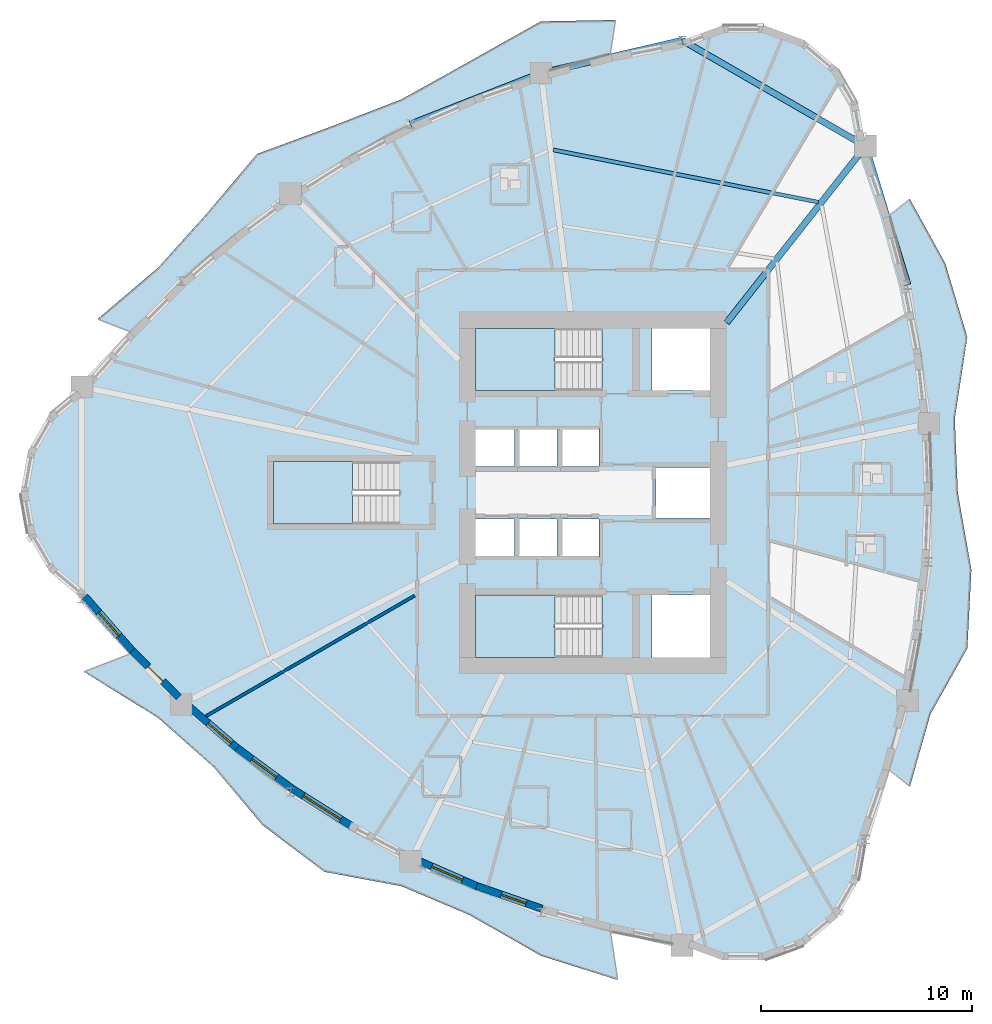
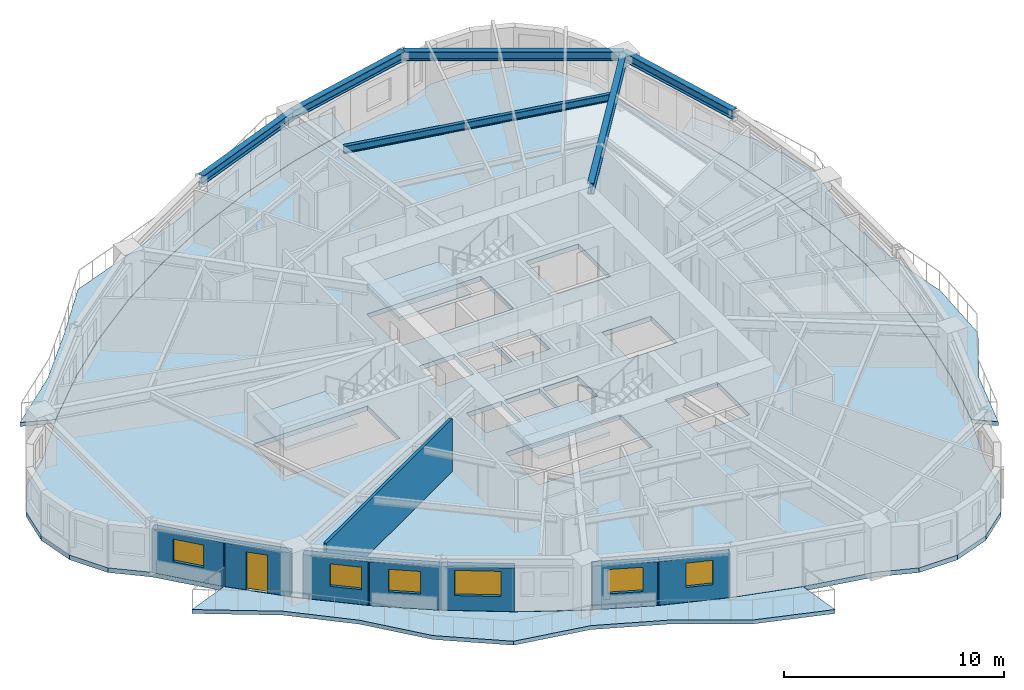
# One storey, part 2 of 13: 8 walls, 7 slabs, 6 beams, 6 windows, 1 door, 7 openings, 3 elements without a shape of their own.
"""IFC4 building model written with IfcOpenShell, lengths in metres."""

from ifc_helpers import new_model, si_unit, direction, frame, frame_2d, origin, origin_2d, place, context, subcontext, project, spatial, polyline, rectangle, i_section, outline, extrude, source, transform, mapped, material, layer, layer_set, material_profile, profile_set, type_object, element, fill, aggregate, save


model = new_model("IFC4")

# Units and contexts
model_context = context("Model", 3, precision=1e-05, world=origin(), true_north=direction((0.0, 1.0)))
body_context = subcontext(model_context, "Body", "Model", "MODEL_VIEW")
ifc_project = project(units=[si_unit("LENGTHUNIT", "METRE"), si_unit("AREAUNIT", "SQUARE_METRE"), si_unit("VOLUMEUNIT", "CUBIC_METRE"), si_unit("PLANEANGLEUNIT", "RADIAN"), si_unit("MASSUNIT", "GRAM", prefix="KILO")], contexts=[model_context])

# Site, building, storey
site_placement = place(None, origin())
site = spatial("IfcSite", under=ifc_project, at=site_placement, CompositionType="ELEMENT")
building_placement = place(site_placement, origin())
building = spatial("IfcBuilding", under=site, at=building_placement, Name="Qafzar Sky-Pleat Residences", CompositionType="ELEMENT")
storey_placement = place(building_placement, frame((0.0, 0.0, 52.60009765625)))
storey = spatial("IfcBuildingStorey", under=building, at=storey_placement, Name="L15", CompositionType="ELEMENT", Elevation=52.60009765625)

# Beams
ifc_material_1 = material(Name="Steel S355", Category="steel")
ifc_material_profile_1 = material_profile(ifc_material_1, i_section(OverallWidth=0.300048828125, OverallDepth=0.5, WebThickness=0.014404296875, FlangeThickness=0.028076171875, FilletRadius=0.027099609375, at=origin_2d()), Name="HEB 500")
ifc_profile_set_1 = profile_set([ifc_material_profile_1], Name="Steel S355")
beam_type_1 = type_object("IfcBeamType", Name="BM-SPAN-HEB500", PredefinedType="SPANDREL", material=ifc_profile_set_1)
shared_shape_1 = source(origin(), body_context, "Body", "SweptSolid", [
    extrude(i_section(OverallWidth=0.300048828125, OverallDepth=0.5, WebThickness=0.014404296875, FlangeThickness=0.028076171875, FilletRadius=0.027099609375, at=origin_2d()), origin(), (0.0, 0.0, 1.0), 10.0458984375),
])
beam_1_placement = place(storey_placement, frame((43.2900390625, 42.437255859375, 2.68798828125), z_axis=(-0.866024107753, 0.500002244785, 0.0), x_axis=(-0.500002244785, -0.866024107753, 0.0)))
element("IfcBeam", 1, at=beam_1_placement, inside=storey, type_object=beam_type_1, Name="L15 Perimeter Spandrel Beam 13", PredefinedType="SPANDREL", context=body_context, shape_type="MappedRepresentation", body=[
    mapped(shared_shape_1, transform((0.0, 0.0, 0.0), x_axis=(1.0, 0.0, 0.0), y_axis=(0.0, 1.0, 0.0), z_axis=(0.0, 0.0, 1.0), scale=1.0)),
])
shared_shape_2 = source(origin(), body_context, "Body", "SweptSolid", [
    extrude(i_section(OverallWidth=0.300048828125, OverallDepth=0.5, WebThickness=0.014404296875, FlangeThickness=0.028076171875, FilletRadius=0.027099609375, at=origin_2d()), origin(), (0.0, 0.0, 1.0), 6.8720703125),
])
for number, where, z_axis, x_axis, name in (
    (2, (45.288818359375, 35.8623046875, 2.68798828125), (-0.290856244324, 0.956766766322, 0.0), (-0.956766766322, -0.290856244324, 0.0), "L15 Perimeter Spandrel Beam 12"),
    (3, (34.590087890625, 47.460205078125, 2.68798828125), (-0.974016228914, -0.226478223705, 0.0), (0.226478223705, -0.974016228914, 0.0), "L15 Perimeter Spandrel Beam 14"),
):
    element("IfcBeam", number, at=place(storey_placement, frame(where, z_axis=z_axis, x_axis=x_axis)), inside=storey, type_object=beam_type_1, Name=name, PredefinedType="SPANDREL", context=body_context, shape_type="MappedRepresentation", body=[
        mapped(shared_shape_2, transform((0.0, 0.0, 0.0), x_axis=(1.0, 0.0, 0.0), y_axis=(0.0, 1.0, 0.0), z_axis=(0.0, 0.0, 1.0), scale=1.0)),
    ])
shared_shape_3 = source(origin(), body_context, "Body", "SweptSolid", [
    extrude(i_section(OverallWidth=0.300048828125, OverallDepth=0.5, WebThickness=0.014404296875, FlangeThickness=0.028076171875, FilletRadius=0.027099609375, at=origin_2d()), origin(), (0.0, 0.0, 1.0), 6.650390625),
])
beam_2_placement = place(storey_placement, frame((27.896484375, 45.90380859375, 2.68798828125), z_axis=(-0.931317505809, -0.364208324141, 0.0), x_axis=(0.364208324141, -0.931317505809, 0.0)))
element("IfcBeam", 4, at=beam_2_placement, inside=storey, type_object=beam_type_1, Name="L15 Perimeter Spandrel Beam 15", PredefinedType="SPANDREL", context=body_context, shape_type="MappedRepresentation", body=[
    mapped(shared_shape_3, transform((0.0, 0.0, 0.0), x_axis=(1.0, 0.0, 0.0), y_axis=(0.0, 1.0, 0.0), z_axis=(0.0, 0.0, 1.0), scale=1.0)),
])
ifc_material_profile_2 = material_profile(ifc_material_1, i_section(OverallWidth=0.300048828125, OverallDepth=0.60009765625, WebThickness=0.015380859375, FlangeThickness=0.030029296875, FilletRadius=0.027099609375, at=origin_2d()), Name="HEB 600")
ifc_profile_set_2 = profile_set([ifc_material_profile_2], Name="Steel S355")
beam_type_2 = type_object("IfcBeamType", Name="BM-GIRD-HEB600", PredefinedType="BEAM", material=ifc_profile_set_2)
shared_shape_4 = source(origin(), body_context, "Body", "SweptSolid", [
    extrude(i_section(OverallWidth=0.300048828125, OverallDepth=0.60009765625, WebThickness=0.015380859375, FlangeThickness=0.030029296875, FilletRadius=0.027099609375, at=origin_2d()), origin(), (0.0, 0.0, 1.0), 10.65380859375),
])
beam_3_placement = place(storey_placement, frame((43.2900390625, 42.437255859375, 2.637939453125), z_axis=(-0.618564121577, -0.785734323737, 0.0), x_axis=(0.785734323737, -0.618564121577, 0.0)))
element("IfcBeam", 5, at=beam_3_placement, inside=storey, type_object=beam_type_2, Name="L15 Radial Floor Girder 13", PredefinedType="BEAM", context=body_context, shape_type="MappedRepresentation", body=[
    mapped(shared_shape_4, transform((0.0, 0.0, 0.0), x_axis=(1.0, 0.0, 0.0), y_axis=(0.0, 1.0, 0.0), z_axis=(0.0, 0.0, 1.0), scale=1.0)),
])
ifc_material_profile_3 = material_profile(ifc_material_1, i_section(OverallWidth=0.179931640625, OverallDepth=0.39990234375, WebThickness=0.008544921875, FlangeThickness=0.013427734375, FilletRadius=0.02099609375, at=origin_2d()), Name="IPE 400")
ifc_profile_set_3 = profile_set([ifc_material_profile_3], Name="Steel S355")
beam_type_3 = type_object("IfcBeamType", Name="BM-JST-IPE400", PredefinedType="JOIST", material=ifc_profile_set_3)
shared_shape_5 = source(origin(), body_context, "Body", "SweptSolid", [
    extrude(i_section(OverallWidth=0.179931640625, OverallDepth=0.39990234375, WebThickness=0.008544921875, FlangeThickness=0.013427734375, FilletRadius=0.02099609375, at=origin_2d()), origin(), (0.0, 0.0, 1.0), 12.815185546875),
])
beam_4_placement = place(storey_placement, frame((41.048583984375, 39.78466796875, 2.73779296875), z_axis=(-0.981160312163, 0.19319534631, 0.0), x_axis=(-0.19319534631, -0.981160312163, 0.0)))
element("IfcBeam", 6, at=beam_4_placement, inside=storey, type_object=beam_type_3, Name="L15 Outer Secondary Floor Joist 7", PredefinedType="JOIST", context=body_context, shape_type="MappedRepresentation", body=[
    mapped(shared_shape_5, transform((0.0, 0.0, 0.0), x_axis=(1.0, 0.0, 0.0), y_axis=(0.0, 1.0, 0.0), z_axis=(0.0, 0.0, 1.0), scale=1.0)),
])

# Slabs
ifc_material_2 = material(Name="Concrete C40/50", Category="concrete")
ifc_layer_1 = layer(ifc_material_2, 0.219970703125)
ifc_layer_set_1 = layer_set([ifc_layer_1], Name="Concrete C40/50")
slab_type_1 = type_object("IfcSlabType", Name="SLAB-BAL-220", PredefinedType="USERDEFINED", material=ifc_layer_set_1)
slab_1_placement = place(storey_placement, frame((0.0, 0.0, -0.22021484375)))
element("IfcSlab", 7, at=slab_1_placement, inside=storey, type_object=slab_type_1, Name="L15 Pleated Stone Balcony 1", ObjectType="BALCONY", PredefinedType="USERDEFINED", context=body_context, shape_type="SweptSolid", body=[
    extrude(outline(polyline([(45.29931640625, 16.1318359375), (45.9248046875, 19.4208984375), (46.2998046875, 22.71044921875), (46.425048828125, 26.0), (46.2998046875, 29.28955078125), (45.9248046875, 32.5791015625), (45.29931640625, 35.8681640625), (44.423583984375, 39.1572265625), (45.389892578125, 39.93115234375), (47.069580078125, 36.878173828125), (48.11279296875, 33.382080078125), (47.518310546875, 29.508544921875), (47.6630859375, 26.0), (48.305908203125, 22.349853515625), (48.11279296875, 18.617919921875), (46.37451171875, 15.518310546875), (45.389892578125, 12.06884765625), (44.423583984375, 12.8427734375), (45.29931640625, 16.1318359375)])), origin(), (0.0, 0.0, 1.0), 0.22021484375),
])
slab_2_placement = place(storey_placement, frame((0.0, 0.0, -0.22021484375)))
element("IfcSlab", 8, at=slab_2_placement, inside=storey, type_object=slab_type_1, Name="L15 Pleated Stone Balcony 2", ObjectType="BALCONY", PredefinedType="USERDEFINED", context=body_context, shape_type="SweptSolid", body=[
    extrude(outline(polyline([(27.896484375, 45.915771484375), (24.735107421875, 44.812744140625), (21.69873046875, 43.492919921875), (18.78759765625, 41.95654296875), (16.001220703125, 40.20361328125), (13.340087890625, 38.233642578125), (10.80419921875, 36.047607421875), (8.3935546875, 33.644775390625), (6.867431640625, 34.23974609375), (9.7353515625, 36.672119140625), (12.08251953125, 39.283203125), (14.427734375, 42.06591796875), (17.968505859375, 43.375), (21.279296875, 44.65771484375), (24.455078125, 46.426513671875), (27.8837890625, 48.353759765625), (31.430419921875, 48.421142578125), (31.1826171875, 46.802001953125), (27.896484375, 45.915771484375)])), origin(), (0.0, 0.0, 1.0), 0.22021484375),
])
slab_3_placement = place(storey_placement, frame((0.0, 0.0, -0.22021484375)))
element("IfcSlab", 9, at=slab_3_placement, inside=storey, type_object=slab_type_1, Name="L15 Pleated Stone Balcony 3", ObjectType="BALCONY", PredefinedType="USERDEFINED", context=body_context, shape_type="SweptSolid", body=[
    extrude(outline(polyline([(10.80419921875, 15.952392578125), (13.340087890625, 13.766357421875), (16.001220703125, 11.79638671875), (18.78759765625, 10.04345703125), (21.69873046875, 8.507080078125), (24.735107421875, 7.187255859375), (27.896484375, 6.084228515625), (31.1826171875, 5.197998046875), (31.53515625, 2.89404296875), (27.885986328125, 4.04638671875), (24.523681640625, 5.967529296875), (21.279296875, 7.34228515625), (17.6220703125, 8.02490234375), (14.68603515625, 10.23974609375), (12.3896484375, 12.97314453125), (9.7353515625, 15.327880859375), (6.221923828125, 17.508544921875), (8.3935546875, 18.355224609375), (10.80419921875, 15.952392578125)])), origin(), (0.0, 0.0, 1.0), 0.22021484375),
])
ifc_layer_2 = layer(ifc_material_2, 0.260009765625)
ifc_layer_set_2 = layer_set([ifc_layer_2], Name="Concrete C40/50")
slab_type_2 = type_object("IfcSlabType", Name="SLAB-FLR-260", PredefinedType="FLOOR", material=ifc_layer_set_2)
slab_4_placement = place(storey_placement, frame((0.0, 0.0, -0.260009765625)))
element("IfcSlab", 10, at=slab_4_placement, inside=storey, type_object=slab_type_2, Name="L15 Structural Floor Slab", PredefinedType="FLOOR", context=body_context, shape_type="SweptSolid", body=[
    extrude(outline(polyline([(6.1201171875, 31.02294921875), (4.576904296875, 29.728271484375), (3.56982421875, 27.983642578125), (3.219970703125, 26.0), (3.56982421875, 24.016357421875), (4.576904296875, 22.271728515625), (6.1201171875, 20.97705078125), (8.40478515625, 18.359619140625), (10.814697265625, 15.95849609375), (13.349365234375, 13.77392578125), (16.0087890625, 11.8056640625), (18.79345703125, 10.0537109375), (21.702880859375, 8.518310546875), (24.7373046875, 7.19921875), (27.896484375, 6.09619140625), (31.180908203125, 5.2099609375), (34.590087890625, 4.539794921875), (36.48291015625, 3.85107421875), (38.497314453125, 3.85107421875), (40.389892578125, 4.539794921875), (41.93310546875, 5.834716796875), (42.940185546875, 7.5791015625), (43.2900390625, 9.562744140625), (44.414306640625, 12.850341796875), (45.288818359375, 16.1376953125), (45.913330078125, 19.425048828125), (46.2880859375, 22.712646484375), (46.4130859375, 26.0), (46.2880859375, 29.287353515625), (45.913330078125, 32.574951171875), (45.288818359375, 35.8623046875), (44.414306640625, 39.149658203125), (43.2900390625, 42.437255859375), (42.940185546875, 44.4208984375), (41.93310546875, 46.165283203125), (40.389892578125, 47.460205078125), (38.497314453125, 48.14892578125), (36.48291015625, 48.14892578125), (34.590087890625, 47.460205078125), (31.180908203125, 46.7900390625), (27.896484375, 45.90380859375), (24.7373046875, 44.80078125), (21.702880859375, 43.481689453125), (18.79345703125, 41.9462890625), (16.0087890625, 40.1943359375), (13.349365234375, 38.22607421875), (10.814697265625, 36.04150390625), (8.40478515625, 33.640380859375), (6.1201171875, 31.02294921875)]), holes=[polyline([(30.797119140625, 21.14990234375), (24.800048828125, 21.14990234375), (24.800048828125, 18.199951171875), (30.797119140625, 18.199951171875), (30.797119140625, 21.14990234375)]), polyline([(30.797119140625, 33.800048828125), (24.800048828125, 33.800048828125), (24.800048828125, 30.85009765625), (30.797119140625, 30.85009765625), (30.797119140625, 33.800048828125)]), polyline([(21.197021484375, 27.47509765625), (15.199951171875, 27.47509765625), (15.199951171875, 24.52490234375), (21.197021484375, 24.52490234375), (21.197021484375, 27.47509765625)]), polyline([(24.800048828125, 22.949951171875), (26.64990234375, 22.949951171875), (26.64990234375, 24.75), (24.800048828125, 24.75), (24.800048828125, 22.949951171875)]), polyline([(26.800048828125, 22.949951171875), (28.64990234375, 22.949951171875), (28.64990234375, 24.75), (26.800048828125, 24.75), (26.800048828125, 22.949951171875)]), polyline([(28.800048828125, 22.949951171875), (30.64990234375, 22.949951171875), (30.64990234375, 24.75), (28.800048828125, 24.75), (28.800048828125, 22.949951171875)]), polyline([(24.800048828125, 27.25), (26.64990234375, 27.25), (26.64990234375, 29.050048828125), (24.800048828125, 29.050048828125), (24.800048828125, 27.25)]), polyline([(26.800048828125, 27.25), (28.64990234375, 27.25), (28.64990234375, 29.050048828125), (26.800048828125, 29.050048828125), (26.800048828125, 27.25)]), polyline([(28.800048828125, 27.25), (30.64990234375, 27.25), (30.64990234375, 29.050048828125), (28.800048828125, 29.050048828125), (28.800048828125, 27.25)]), polyline([(33.14990234375, 18.199951171875), (35.89990234375, 18.199951171875), (35.89990234375, 21.14990234375), (33.14990234375, 21.14990234375), (33.14990234375, 18.199951171875)]), polyline([(33.14990234375, 30.85009765625), (35.89990234375, 30.85009765625), (35.89990234375, 33.800048828125), (33.14990234375, 33.800048828125), (33.14990234375, 30.85009765625)]), polyline([(33.35009765625, 24.800048828125), (35.89990234375, 24.800048828125), (35.89990234375, 27.199951171875), (33.35009765625, 27.199951171875), (33.35009765625, 24.800048828125)])]), origin(), (0.0, 0.0, 1.0), 0.260009765625),
])

# Stair, slab
stair_type = type_object("IfcStairType", Name="STAIR-H320", PredefinedType="HALF_TURN_STAIR", material=ifc_material_2)
stair_1_placement = place(storey_placement, origin())
stair_1 = element("IfcStair", 11, at=stair_1_placement, inside=storey, type_object=stair_type, Name="L15 Protected Exit Stair ST1", PredefinedType="HALF_TURN_STAIR")
ifc_layer_3 = layer(ifc_material_2, 0.199951171875)
ifc_layer_set_3 = layer_set([ifc_layer_3], Name="Concrete C40/50")
slab_type_3 = type_object("IfcSlabType", Name="SLAB-LANDING-200", PredefinedType="LANDING", material=ifc_layer_set_3)
slab_5_placement = place(storey_placement, frame((0.0, 0.0, 1.39990234375)))
slab_5 = element("IfcSlab", 12, at=slab_5_placement, type_object=slab_type_3, Name="ST1 landing 1", PredefinedType="LANDING", context=body_context, shape_type="SweptSolid", body=[
    extrude(outline(polyline([(28.56005859375, 21.14990234375), (24.800048828125, 21.14990234375), (24.800048828125, 18.199951171875), (28.56005859375, 18.199951171875), (28.56005859375, 21.14990234375)])), origin(), (0.0, 0.0, 1.0), 0.199951171875),
])
aggregate(stair_1, [slab_5])

stair_2_placement = place(storey_placement, origin())
stair_2 = element("IfcStair", 13, at=stair_2_placement, inside=storey, type_object=stair_type, Name="L15 Protected Exit Stair ST2", PredefinedType="HALF_TURN_STAIR")
slab_6_placement = place(storey_placement, frame((0.0, 0.0, 1.39990234375)))
slab_6 = element("IfcSlab", 14, at=slab_6_placement, type_object=slab_type_3, Name="ST2 landing 1", PredefinedType="LANDING", context=body_context, shape_type="SweptSolid", body=[
    extrude(outline(polyline([(28.56005859375, 33.800048828125), (24.800048828125, 33.800048828125), (24.800048828125, 30.85009765625), (28.56005859375, 30.85009765625), (28.56005859375, 33.800048828125)])), origin(), (0.0, 0.0, 1.0), 0.199951171875),
])
aggregate(stair_2, [slab_6])

stair_3_placement = place(storey_placement, origin())
stair_3 = element("IfcStair", 15, at=stair_3_placement, inside=storey, type_object=stair_type, Name="L15 Protected Exit Stair ST3", PredefinedType="HALF_TURN_STAIR")
slab_7_placement = place(storey_placement, frame((0.0, 0.0, 1.39990234375)))
slab_7 = element("IfcSlab", 16, at=slab_7_placement, type_object=slab_type_3, Name="ST3 landing 1", PredefinedType="LANDING", context=body_context, shape_type="SweptSolid", body=[
    extrude(outline(polyline([(18.9599609375, 27.47509765625), (15.199951171875, 27.47509765625), (15.199951171875, 24.52490234375), (18.9599609375, 24.52490234375), (18.9599609375, 27.47509765625)])), origin(), (0.0, 0.0, 1.0), 0.199951171875),
])
aggregate(stair_3, [slab_7])

# Wall
ifc_material_3 = material(Name="Acoustic gypsum plasterboard partition", Category="gypsum")
ifc_layer_4 = layer(ifc_material_3, 0.14501953125)
ifc_layer_set_4 = layer_set([ifc_layer_4], Name="Acoustic gypsum plasterboard partition")
wall_type_1 = type_object("IfcWallType", Name="PART-UNIT-145", PredefinedType="PARTITIONING", material=ifc_layer_set_4)
wall_1_placement = place(storey_placement, frame((12.0087890625, 15.406494140625, 0.0), z_axis=(0.0, 0.0, 1.0), x_axis=(0.865925986209, 0.500172156771, 0.0)))
element("IfcWall", 17, at=wall_1_placement, inside=storey, type_object=wall_type_1, Name="L15 Partition Wall PART-L15-PW-033", PredefinedType="PARTITIONING", context=body_context, shape_type="SweptSolid", body=[
    extrude(rectangle(XDim=11.4189453125, YDim=0.14501953125, at=frame_2d((5.70947265625, 0.0))), origin(), (0.0, 0.0, 1.0), 2.93994140625),
])

# Wall, opening, window
ifc_material_4 = material(Name="Precast concrete C40/50 with honed Riyadh limestone", Category="concrete")
ifc_layer_5 = layer(ifc_material_4, 0.35009765625)
ifc_layer_set_5 = layer_set([ifc_layer_5], Name="Precast concrete C40/50 with honed Riyadh limestone")
wall_type_2 = type_object("IfcWallType", Name="WALL-EXT-350", PredefinedType="SOLIDWALL", material=ifc_layer_set_5)
wall_2_placement = place(storey_placement, frame((6.264892578125, 21.0771484375, 0.0), z_axis=(0.0, 0.0, 1.0), x_axis=(0.657633089408, -0.753338383275, 0.0)))
wall_2 = element("IfcWall", 18, at=wall_2_placement, inside=storey, type_object=wall_type_2, Name="L15 Limestone Facade Wall 7", PredefinedType="SOLIDWALL", context=body_context, shape_type="SweptSolid", body=[
    extrude(rectangle(XDim=3.4921875, YDim=0.35009765625, at=frame_2d((1.74609375, 0.0))), origin(), (0.0, 0.0, 1.0), 2.419921875),
])
opening_1_placement = place(wall_2_placement, frame((1.01123046875, 0.0, 0.820068359375)))
opening_1 = element("IfcOpeningElement", 19, at=opening_1_placement, cuts=wall_2, Name="Opening WN-15", PredefinedType="OPENING", context=body_context, shape_type="SweptSolid", body=[
    extrude(rectangle(XDim=1.449951171875, YDim=1.25, at=frame_2d((0.72509765625, 0.625))), frame((0.0, 0.18505859375, 0.0), z_axis=(0.0, -1.0, 0.0), x_axis=(1.0, 0.0, 0.0)), (0.0, 0.0, 1.0), 0.3701171875),
])
ifc_material_5 = material(Name="Solar-control low-E glass in bronze aluminium frame", Category="glass")
window_type_1 = type_object("IfcWindowType", Name="WIN-15", PartitioningType="SINGLE_PANEL", PredefinedType="WINDOW", material=ifc_material_5)
shared_shape_6 = source(origin(), body_context, "Body", "SweptSolid", [
    extrude(rectangle(XDim=1.449951171875, YDim=1.25, at=frame_2d((0.72509765625, 0.625))), frame((0.0, 0.030029296875, 0.0), z_axis=(0.0, -1.0, 0.0), x_axis=(1.0, 0.0, 0.0)), (0.0, 0.0, 1.0), 0.06005859375),
])
window_1_placement = place(opening_1_placement, origin())
window_1 = element("IfcWindow", 20, at=window_1_placement, inside=storey, type_object=window_type_1, Name="L15 Punched Facade Window 07", OverallHeight=1.25, OverallWidth=1.449951171875, PartitioningType="SINGLE_PANEL", PredefinedType="WINDOW", context=body_context, shape_type="MappedRepresentation", body=[
    mapped(shared_shape_6, transform((0.0, 0.0, 0.0), x_axis=(1.0, 0.0, 0.0), y_axis=(0.0, 1.0, 0.0), z_axis=(0.0, 0.0, 1.0), scale=1.0)),
])
fill(opening_1, window_1)

# Wall, opening, door
wall_3_placement = place(storey_placement, frame((8.50146484375, 18.510498046875, 0.0), z_axis=(0.0, 0.0, 1.0), x_axis=(0.708349769787, -0.705861603746, 0.0)))
wall_3 = element("IfcWall", 21, at=wall_3_placement, inside=storey, type_object=wall_type_2, Name="L15 Limestone Facade Wall 8", PredefinedType="SOLIDWALL", context=body_context, shape_type="SweptSolid", body=[
    extrude(rectangle(XDim=3.139892578125, YDim=0.35009765625, at=frame_2d((1.56982421875, 0.0))), origin(), (0.0, 0.0, 1.0), 2.419921875),
])
opening_2_placement = place(wall_3_placement, frame((1.06982421875, 0.0, 0.0)))
opening_2 = element("IfcOpeningElement", 22, at=opening_2_placement, cuts=wall_3, Name="Opening ED-05", PredefinedType="OPENING", context=body_context, shape_type="SweptSolid", body=[
    extrude(rectangle(XDim=1.0, YDim=2.10009765625, at=frame_2d((0.5, 1.050048828125))), frame((0.0, 0.18505859375, 0.0), z_axis=(0.0, -1.0, 0.0), x_axis=(1.0, 0.0, 0.0)), (0.0, 0.0, 1.0), 0.3701171875),
])
ifc_material_6 = material(Name="Glazed bronze aluminium door", Category="aluminium")
door_type = type_object("IfcDoorType", Name="DR-BAL-1000", OperationType="NOTDEFINED", PredefinedType="DOOR", material=ifc_material_6)
shared_shape_7 = source(origin(), body_context, "Body", "SweptSolid", [
    extrude(rectangle(XDim=1.0, YDim=2.10009765625, at=frame_2d((0.5, 1.050048828125))), frame((0.0, 0.02490234375, 0.0), z_axis=(0.0, -1.0, 0.0), x_axis=(1.0, 0.0, 0.0)), (0.0, 0.0, 1.0), 0.050048828125),
])
door_placement = place(opening_2_placement, origin())
door = element("IfcDoor", 23, at=door_placement, inside=storey, type_object=door_type, Name="L15 Glazed Balcony Door 3", OperationType="SINGLE_SWING_LEFT", OverallHeight=2.10009765625, OverallWidth=1.0, PredefinedType="DOOR", context=body_context, shape_type="MappedRepresentation", body=[
    mapped(shared_shape_7, transform((0.0, 0.0, 0.0), x_axis=(1.0, 0.0, 0.0), y_axis=(0.0, 1.0, 0.0), z_axis=(0.0, 0.0, 1.0), scale=1.0)),
])
fill(opening_2, door)

# Wall, opening, window
wall_4_placement = place(storey_placement, frame((11.156005859375, 15.895263671875, 0.0), z_axis=(0.0, 0.0, 1.0), x_axis=(0.757493652432, -0.652842528123, 0.0)))
wall_4 = element("IfcWall", 24, at=wall_4_placement, inside=storey, type_object=wall_type_2, Name="L15 Limestone Facade Wall 9", PredefinedType="SOLIDWALL", context=body_context, shape_type="SweptSolid", body=[
    extrude(rectangle(XDim=3.083984375, YDim=0.35009765625, at=frame_2d((1.5419921875, 0.0))), origin(), (0.0, 0.0, 1.0), 2.419921875),
])
opening_3_placement = place(wall_4_placement, frame((1.256103515625, 0.0, 0.820068359375)))
opening_3 = element("IfcOpeningElement", 25, at=opening_3_placement, cuts=wall_4, Name="Opening WN-15", PredefinedType="OPENING", context=body_context, shape_type="SweptSolid", body=[
    extrude(rectangle(XDim=1.449951171875, YDim=1.25, at=frame_2d((0.72509765625, 0.625))), frame((0.0, 0.18505859375, 0.0), z_axis=(0.0, -1.0, 0.0), x_axis=(1.0, 0.0, 0.0)), (0.0, 0.0, 1.0), 0.3701171875),
])
window_2_placement = place(opening_3_placement, origin())
window_2 = element("IfcWindow", 26, at=window_2_placement, inside=storey, type_object=window_type_1, Name="L15 Punched Facade Window 09-2", OverallHeight=1.25, OverallWidth=1.449951171875, PartitioningType="SINGLE_PANEL", PredefinedType="WINDOW", context=body_context, shape_type="MappedRepresentation", body=[
    mapped(shared_shape_6, transform((0.0, 0.0, 0.0), x_axis=(1.0, 0.0, 0.0), y_axis=(0.0, 1.0, 0.0), z_axis=(0.0, 0.0, 1.0), scale=1.0)),
])
fill(opening_3, window_2)

wall_5_placement = place(storey_placement, frame((13.4228515625, 13.937255859375, 0.0), z_axis=(0.0, 0.0, 1.0), x_axis=(0.803814527371, -0.594879992593, 0.0)))
wall_5 = element("IfcWall", 27, at=wall_5_placement, inside=storey, type_object=wall_type_2, Name="L15 Limestone Facade Wall 10", PredefinedType="SOLIDWALL", context=body_context, shape_type="SweptSolid", body=[
    extrude(rectangle(XDim=3.32666015625, YDim=0.35009765625, at=frame_2d((1.663330078125, 0.0))), origin(), (0.0, 0.0, 1.0), 2.419921875),
])
opening_4_placement = place(wall_5_placement, frame((0.948486328125, 0.0, 0.820068359375)))
opening_4 = element("IfcOpeningElement", 28, at=opening_4_placement, cuts=wall_5, Name="Opening WN-15", PredefinedType="OPENING", context=body_context, shape_type="SweptSolid", body=[
    extrude(rectangle(XDim=1.449951171875, YDim=1.25, at=frame_2d((0.72509765625, 0.625))), frame((0.0, 0.18505859375, 0.0), z_axis=(0.0, -1.0, 0.0), x_axis=(1.0, 0.0, 0.0)), (0.0, 0.0, 1.0), 0.3701171875),
])
window_3_placement = place(opening_4_placement, origin())
window_3 = element("IfcWindow", 29, at=window_3_placement, inside=storey, type_object=window_type_1, Name="L15 Punched Facade Window 10", OverallHeight=1.25, OverallWidth=1.449951171875, PartitioningType="SINGLE_PANEL", PredefinedType="WINDOW", context=body_context, shape_type="MappedRepresentation", body=[
    mapped(shared_shape_6, transform((0.0, 0.0, 0.0), x_axis=(1.0, 0.0, 0.0), y_axis=(0.0, 1.0, 0.0), z_axis=(0.0, 0.0, 1.0), scale=1.0)),
])
fill(opening_4, window_3)

wall_6_placement = place(storey_placement, frame((16.118896484375, 11.943115234375, 0.0), z_axis=(0.0, 0.0, 1.0), x_axis=(0.846439828925, -0.532484381, 0.0)))
wall_6 = element("IfcWall", 30, at=wall_6_placement, inside=storey, type_object=wall_type_2, Name="L15 Limestone Facade Wall 11", PredefinedType="SOLIDWALL", context=body_context, shape_type="SweptSolid", body=[
    extrude(rectangle(XDim=3.30810546875, YDim=0.35009765625, at=frame_2d((1.654052734375, 0.0))), origin(), (0.0, 0.0, 1.0), 2.419921875),
])
opening_5_placement = place(wall_6_placement, frame((0.593994140625, 0.0, 0.820068359375)))
opening_5 = element("IfcOpeningElement", 31, at=opening_5_placement, cuts=wall_6, Name="Opening WN-07", PredefinedType="OPENING", context=body_context, shape_type="SweptSolid", body=[
    extrude(rectangle(XDim=2.10009765625, YDim=1.39990234375, at=frame_2d((1.050048828125, 0.699951171875))), frame((0.0, 0.18505859375, 0.0), z_axis=(0.0, -1.0, 0.0), x_axis=(1.0, 0.0, 0.0)), (0.0, 0.0, 1.0), 0.3701171875),
])
window_type_2 = type_object("IfcWindowType", Name="WIN-07", PartitioningType="DOUBLE_PANEL_VERTICAL", PredefinedType="WINDOW", material=ifc_material_5)
shared_shape_8 = source(origin(), body_context, "Body", "SweptSolid", [
    extrude(rectangle(XDim=2.10009765625, YDim=1.39990234375, at=frame_2d((1.050048828125, 0.699951171875))), frame((0.0, 0.030029296875, 0.0), z_axis=(0.0, -1.0, 0.0), x_axis=(1.0, 0.0, 0.0)), (0.0, 0.0, 1.0), 0.06005859375),
])
window_4_placement = place(opening_5_placement, origin())
window_4 = element("IfcWindow", 32, at=window_4_placement, inside=storey, type_object=window_type_2, Name="L15 Punched Facade Window 11", OverallHeight=1.39990234375, OverallWidth=2.10009765625, PartitioningType="SINGLE_PANEL", PredefinedType="WINDOW", context=body_context, shape_type="MappedRepresentation", body=[
    mapped(shared_shape_8, transform((0.0, 0.0, 0.0), x_axis=(1.0, 0.0, 0.0), y_axis=(0.0, 1.0, 0.0), z_axis=(0.0, 0.0, 1.0), scale=1.0)),
])
fill(opening_5, window_4)

wall_7_placement = place(storey_placement, frame((22.0478515625, 8.55908203125, 0.0), z_axis=(0.0, 0.0, 1.0), x_axis=(0.9170891658, -0.398682156576, 0.0)))
wall_7 = element("IfcWall", 33, at=wall_7_placement, inside=storey, type_object=wall_type_2, Name="L15 Limestone Facade Wall 13", PredefinedType="SOLIDWALL", context=body_context, shape_type="SweptSolid", body=[
    extrude(rectangle(XDim=3.046630859375, YDim=0.35009765625, at=frame_2d((1.5234375, 0.0))), origin(), (0.0, 0.0, 1.0), 2.419921875),
])
opening_6_placement = place(wall_7_placement, frame((0.718505859375, 0.0, 0.820068359375)))
opening_6 = element("IfcOpeningElement", 34, at=opening_6_placement, cuts=wall_7, Name="Opening WN-09", PredefinedType="OPENING", context=body_context, shape_type="SweptSolid", body=[
    extrude(rectangle(XDim=1.60009765625, YDim=1.35009765625, at=frame_2d((0.800048828125, 0.675048828125))), frame((0.0, 0.18505859375, 0.0), z_axis=(0.0, -1.0, 0.0), x_axis=(1.0, 0.0, 0.0)), (0.0, 0.0, 1.0), 0.3701171875),
])
window_type_3 = type_object("IfcWindowType", Name="WIN-09", PartitioningType="DOUBLE_PANEL_VERTICAL", PredefinedType="WINDOW", material=ifc_material_5)
shared_shape_9 = source(origin(), body_context, "Body", "SweptSolid", [
    extrude(rectangle(XDim=1.60009765625, YDim=1.35009765625, at=frame_2d((0.800048828125, 0.675048828125))), frame((0.0, 0.030029296875, 0.0), z_axis=(0.0, -1.0, 0.0), x_axis=(1.0, 0.0, 0.0)), (0.0, 0.0, 1.0), 0.06005859375),
])
window_5_placement = place(opening_6_placement, origin())
window_5 = element("IfcWindow", 35, at=window_5_placement, inside=storey, type_object=window_type_3, Name="L15 Punched Facade Window 13", OverallHeight=1.35009765625, OverallWidth=1.60009765625, PartitioningType="SINGLE_PANEL", PredefinedType="WINDOW", context=body_context, shape_type="MappedRepresentation", body=[
    mapped(shared_shape_9, transform((0.0, 0.0, 0.0), x_axis=(1.0, 0.0, 0.0), y_axis=(0.0, 1.0, 0.0), z_axis=(0.0, 0.0, 1.0), scale=1.0)),
])
fill(opening_6, window_5)

wall_8_placement = place(storey_placement, frame((24.759033203125, 7.376708984375, 0.0), z_axis=(0.0, 0.0, 1.0), x_axis=(0.94414085716, -0.329542170051, 0.0)))
wall_8 = element("IfcWall", 36, at=wall_8_placement, inside=storey, type_object=wall_type_2, Name="L15 Limestone Facade Wall 14", PredefinedType="SOLIDWALL", context=body_context, shape_type="SweptSolid", body=[
    extrude(rectangle(XDim=3.3642578125, YDim=0.35009765625, at=frame_2d((1.68212890625, 0.0))), origin(), (0.0, 0.0, 1.0), 2.419921875),
])
opening_7_placement = place(wall_8_placement, frame((1.323974609375, 0.0, 0.820068359375)))
opening_7 = element("IfcOpeningElement", 37, at=opening_7_placement, cuts=wall_8, Name="Opening WN-11", PredefinedType="OPENING", context=body_context, shape_type="SweptSolid", body=[
    extrude(rectangle(XDim=1.25, YDim=1.35009765625, at=frame_2d((0.625, 0.675048828125))), frame((0.0, 0.18505859375, 0.0), z_axis=(0.0, -1.0, 0.0), x_axis=(1.0, 0.0, 0.0)), (0.0, 0.0, 1.0), 0.3701171875),
])
window_type_4 = type_object("IfcWindowType", Name="WIN-11", PartitioningType="SINGLE_PANEL", PredefinedType="WINDOW", material=ifc_material_5)
shared_shape_10 = source(origin(), body_context, "Body", "SweptSolid", [
    extrude(rectangle(XDim=1.25, YDim=1.35009765625, at=frame_2d((0.625, 0.675048828125))), frame((0.0, 0.030029296875, 0.0), z_axis=(0.0, -1.0, 0.0), x_axis=(1.0, 0.0, 0.0)), (0.0, 0.0, 1.0), 0.06005859375),
])
window_6_placement = place(opening_7_placement, origin())
window_6 = element("IfcWindow", 38, at=window_6_placement, inside=storey, type_object=window_type_4, Name="L15 Punched Facade Window 14-2", OverallHeight=1.35009765625, OverallWidth=1.25, PartitioningType="SINGLE_PANEL", PredefinedType="WINDOW", context=body_context, shape_type="MappedRepresentation", body=[
    mapped(shared_shape_10, transform((0.0, 0.0, 0.0), x_axis=(1.0, 0.0, 0.0), y_axis=(0.0, 1.0, 0.0), z_axis=(0.0, 0.0, 1.0), scale=1.0)),
])
fill(opening_7, window_6)

save(model, "model.ifc")
